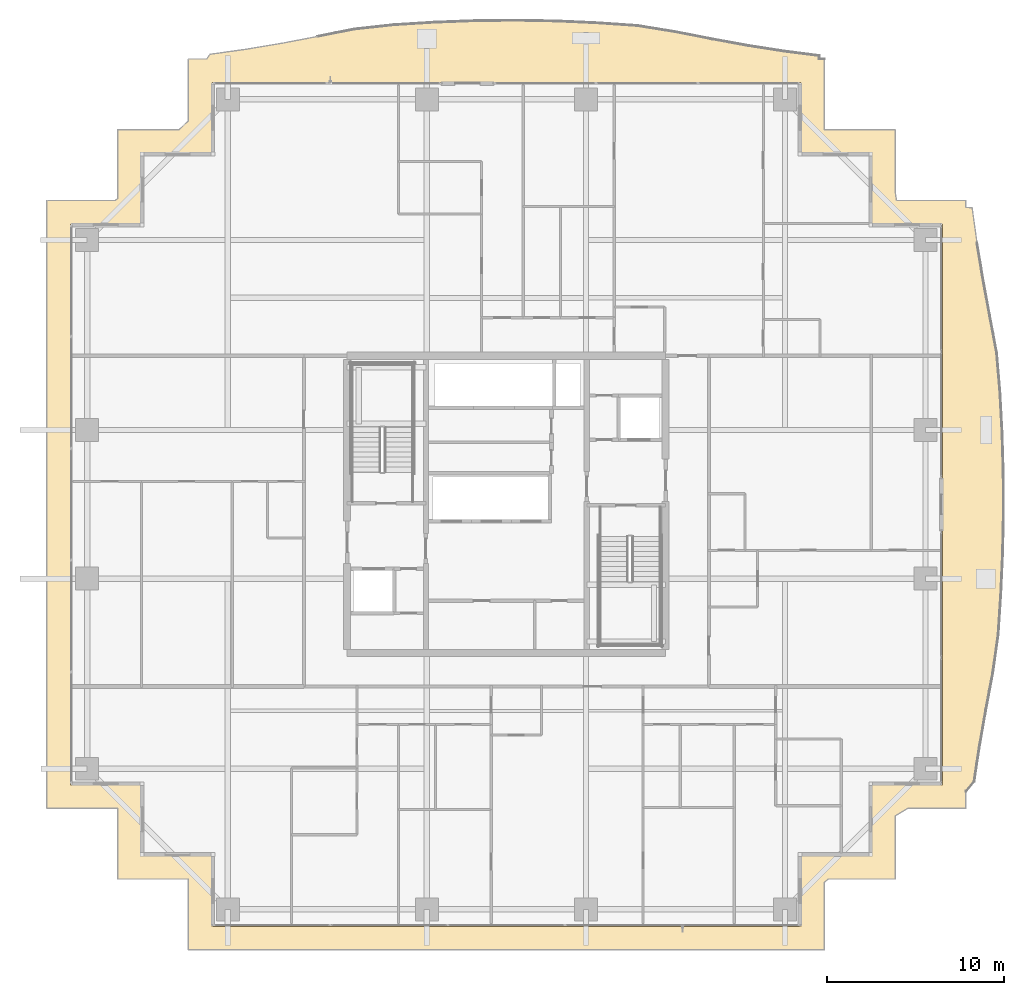
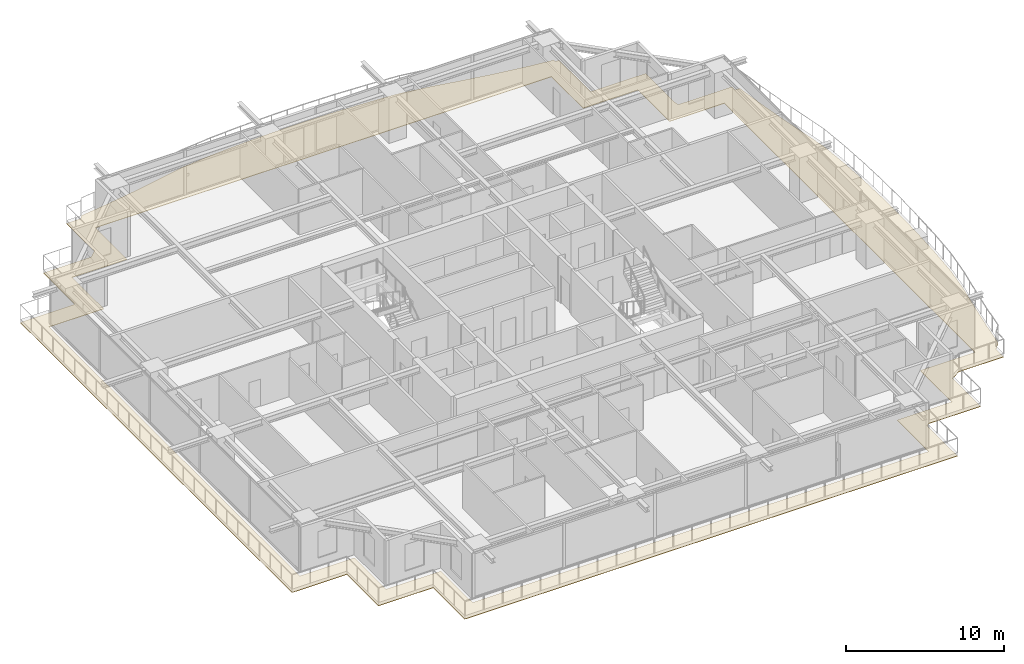
# One storey, part 32 of 34: 1 covering.
"""IFC4 building model written with IfcOpenShell, lengths in metres."""

from ifc_helpers import new_model, si_unit, direction, frame, origin, place, context, subcontext, project, spatial, polyline, outline, extrude, material, layer, layer_set, type_object, element, save


model = new_model("IFC4")

# Units and contexts
model_context = context("Model", 3, precision=1e-05, world=origin(), true_north=direction((0.0, 1.0)))
body_context = subcontext(model_context, "Body", "Model", "MODEL_VIEW")
ifc_project = project(units=[si_unit("LENGTHUNIT", "METRE"), si_unit("AREAUNIT", "SQUARE_METRE"), si_unit("VOLUMEUNIT", "CUBIC_METRE"), si_unit("PLANEANGLEUNIT", "RADIAN"), si_unit("MASSUNIT", "GRAM", prefix="KILO")], contexts=[model_context])

# Site, building, storey
site_placement = place(None, origin())
site = spatial("IfcSite", under=ifc_project, at=site_placement, CompositionType="ELEMENT")
building_placement = place(site_placement, origin())
building = spatial("IfcBuilding", under=site, at=building_placement, Name="Serunith Strait Residences", CompositionType="ELEMENT")
storey_placement = place(building_placement, frame((0.0, 0.0, 135.14990234375)))
storey = spatial("IfcBuildingStorey", under=building, at=storey_placement, Name="L33", CompositionType="ELEMENT", Elevation=135.14990234375)

# Covering
ifc_material = material(Name="Golden Teak Exterior Timber Boarding", Category="wood")
ifc_layer = layer(ifc_material, 0.034912109375, Name="Golden Teak Exterior Timber Boarding")
ifc_layer_set = layer_set([ifc_layer], Name="Golden Teak Exterior Timber Boarding")
covering_type = type_object("IfcCoveringType", Name="COV-TEAK-SOFFIT", PredefinedType="CEILING", material=ifc_layer_set)
covering_placement = place(storey_placement, frame((0.0, 0.0, -0.324951171875)))
element("IfcCovering", 1, at=covering_placement, inside=storey, type_object=covering_type, Name="L33 Golden-Teak Balcony Soffit Lining", PredefinedType="CEILING", context=body_context, shape_type="SweptSolid", body=[
    extrude(outline(polyline([(10.419921875, 46.3798828125), (13.898193359375, 46.3798828125), (14.419921875, 46.881103515625), (14.419921875, 50.3798828125), (15.458984375, 50.3798828125), (15.649658203125, 50.646240234375), (17.647216796875, 50.923095703125), (19.662109375, 51.259521484375), (21.713134765625, 51.6484375), (23.820556640625, 52.0673828125), (26.041015625, 52.30615234375), (28.316650390625, 52.44775390625), (30.619873046875, 52.53515625), (32.9365234375, 52.55908203125), (35.250244140625, 52.517333984375), (37.54541015625, 52.413818359375), (39.80908203125, 52.2587890625), (41.97607421875, 51.907958984375), (44.057373046875, 51.497802734375), (46.09033203125, 51.12841796875), (48.095703125, 50.8154296875), (50.089599609375, 50.56201171875), (50.087890625, 50.3798828125), (50.3798828125, 50.3798828125), (50.3798828125, 46.3798828125), (54.3798828125, 46.3798828125), (54.3798828125, 42.86669921875), (54.452392578125, 42.3798828125), (58.3798828125, 42.3798828125), (58.3798828125, 41.98828125), (58.7294921875, 41.968017578125), (59.010498046875, 39.965576171875), (59.34521484375, 37.9423828125), (59.7236328125, 35.88134765625), (60.121337890625, 33.764404296875), (60.311279296875, 31.534912109375), (60.43115234375, 29.26416015625), (60.49951171875, 26.970458984375), (60.509521484375, 24.666748046875), (60.460205078125, 22.367431640625), (60.356689453125, 20.0859375), (60.20849609375, 17.83349609375), (59.901123046875, 15.660400390625), (59.509033203125, 13.573974609375), (59.151611328125, 11.5341796875), (58.8447265625, 9.523193359375), (58.3798828125, 8.976806640625), (58.3798828125, 8.02001953125), (55.114990234375, 8.02001953125), (54.3798828125, 7.579345703125), (54.3798828125, 4.02001953125), (50.601806640625, 4.02001953125), (50.3798828125, 3.8408203125), (50.3798828125, 0.02001953125), (14.419921875, 0.02001953125), (14.419921875, 4.02001953125), (10.419921875, 4.02001953125), (10.419921875, 8.02001953125), (6.419921875, 8.02001953125), (6.419921875, 42.3798828125), (10.284912109375, 42.3798828125), (10.419921875, 42.47802734375), (10.419921875, 46.3798828125)]), holes=[polyline([(49.054931640625, 1.344970703125), (49.054931640625, 5.344970703125), (53.054931640625, 5.344970703125), (53.054931640625, 9.344970703125), (57.054931640625, 9.344970703125), (57.054931640625, 41.054931640625), (53.054931640625, 41.054931640625), (53.054931640625, 45.054931640625), (49.054931640625, 45.054931640625), (49.054931640625, 49.054931640625), (15.7451171875, 49.054931640625), (15.7451171875, 45.054931640625), (11.7451171875, 45.054931640625), (11.7451171875, 41.054931640625), (7.7451171875, 41.054931640625), (7.7451171875, 9.344970703125), (11.7451171875, 9.344970703125), (11.7451171875, 5.344970703125), (15.7451171875, 5.344970703125), (15.7451171875, 1.344970703125), (49.054931640625, 1.344970703125)])]), origin(), (0.0, 0.0, 1.0), 0.03515625),
])

save(model, "model.ifc")
